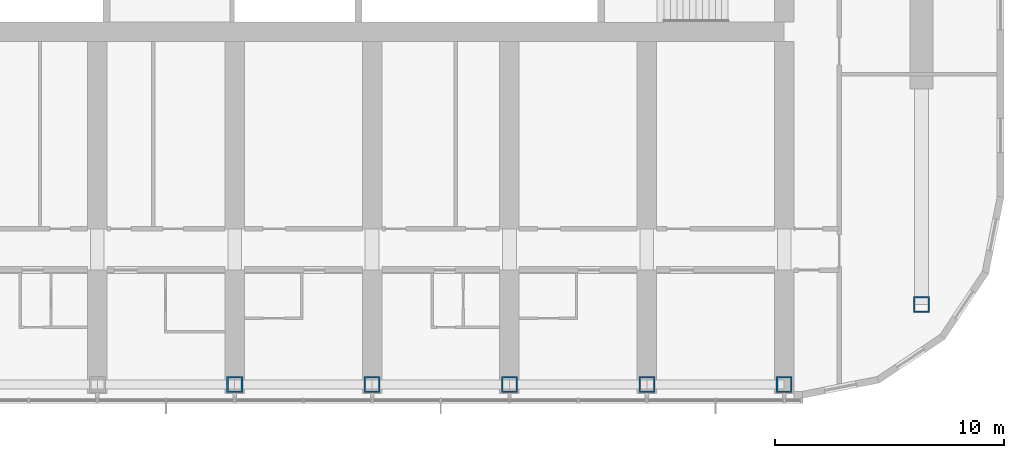
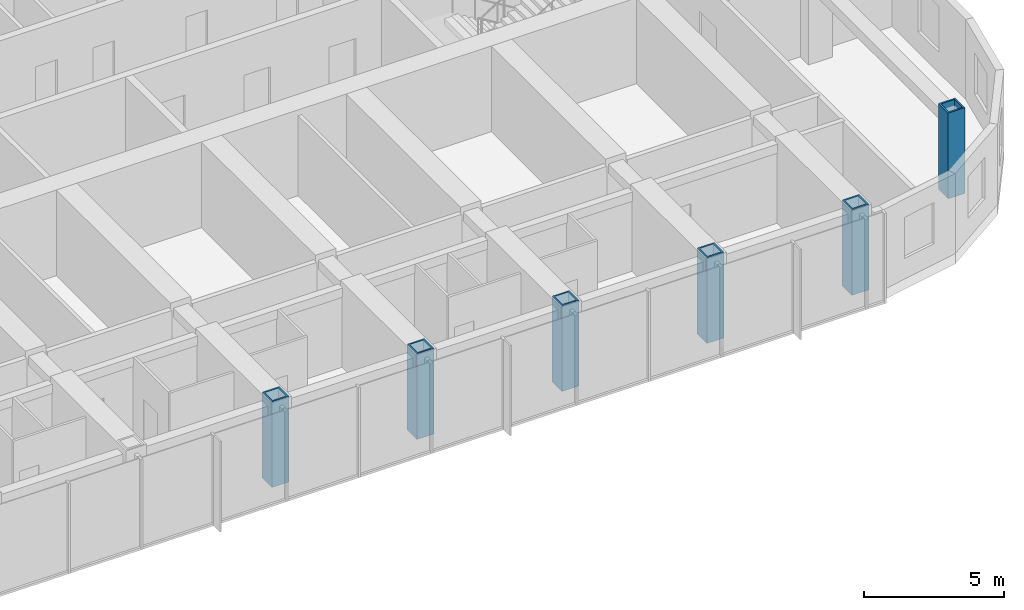
# One storey, part 3 of 29: 6 columns.
"""IFC4 building model written with IfcOpenShell, lengths in metres."""

import ifcopenshell
import ifcopenshell.guid

model = None  # the IFC model being written
_history = None  # IfcOwnerHistory: only IFC2X3 demands one
_inside = {}  # id of a spatial element -> (the spatial element, [elements in it])
_under = {}  # id of a project, library or spatial element -> (it, [spatial elements below it])
_declared = {}  # id of a project -> (the project, [libraries it declares])
_typed = {}  # id of a type object -> (the type object, [elements of that type])
_made_of = {}  # id of a material, layer set ... -> (it, [elements and type objects made of it])


def new_model(schema):
    """Start an empty IFC model of exactly this schema.

    Asked for "IFC4X3", IfcOpenShell would pick the latest addendum, in which some entities
    have other attributes; the version numbers below select the first issue.
    IFC2X3 requires an IfcOwnerHistory on every rooted entity: one is made here for all.
    """
    global model, _history
    if schema == "IFC4X3":
        model = ifcopenshell.file(schema_version=(4, 3, 0, 0))
    else:
        model = ifcopenshell.file(schema=schema)
    _inside.clear()
    _under.clear()
    _declared.clear()
    _typed.clear()
    _made_of.clear()
    _history = None
    if model.schema == "IFC2X3":
        org = make("IfcOrganization", Name="unknown")
        user = make(
            "IfcPersonAndOrganization",
            ThePerson=make("IfcPerson", FamilyName="unknown"),
            TheOrganization=org,
        )
        app = make(
            "IfcApplication",
            ApplicationDeveloper=org,
            Version="unknown",
            ApplicationFullName="unknown",
            ApplicationIdentifier="unknown",
        )
        _history = make(
            "IfcOwnerHistory",
            OwningUser=user,
            OwningApplication=app,
            ChangeAction="ADDED",
            CreationDate=0,
        )
    return model


def make(cls, **values):
    """One entity of the class cls with the attributes given. An attribute that is None is left unset."""
    return model.create_entity(
        cls, **{name: value for name, value in values.items() if value is not None}
    )


def rooted(cls, **values):
    """An entity with a GlobalId (a new one), such as an element, a storey or a relation."""
    return make(cls, GlobalId=ifcopenshell.guid.new(), OwnerHistory=_history, **values)


def si_unit(unit_type, name, prefix=None):
    """IfcSIUnit, for example si_unit("LENGTHUNIT", "METRE", prefix="MILLI")."""
    return make("IfcSIUnit", UnitType=unit_type, Prefix=prefix, Name=name)


def assignment(units):
    """IfcUnitAssignment: the units of a project."""
    return None if units is None else make("IfcUnitAssignment", Units=units)


def point(xyz):
    """IfcCartesianPoint."""
    return None if xyz is None else make("IfcCartesianPoint", Coordinates=xyz)


def direction(xyz):
    """IfcDirection."""
    return None if xyz is None else make("IfcDirection", DirectionRatios=xyz)


def frame(location, z_axis=None, x_axis=None):
    """IfcAxis2Placement3D, a coordinate frame: its origin and axes. An axis left out is left unset."""
    return make(
        "IfcAxis2Placement3D",
        Location=point(location),
        Axis=direction(z_axis),
        RefDirection=direction(x_axis),
    )


def frame_2d(location, x_axis=None):
    """IfcAxis2Placement2D, a coordinate frame in the plane: its origin and x axis."""
    return make(
        "IfcAxis2Placement2D", Location=point(location), RefDirection=direction(x_axis)
    )


def origin():
    """The frame at (0, 0, 0) with its axes left unset."""
    return frame((0.0, 0.0, 0.0))


def origin_2d():
    """The frame at (0, 0) in the plane with its x axis left unset."""
    return frame_2d((0.0, 0.0))


def place(relative_to, where):
    """IfcLocalPlacement: puts the frame where relative to a parent placement (None: the world)."""
    return make(
        "IfcLocalPlacement", PlacementRelTo=relative_to, RelativePlacement=where
    )


def context(
    kind, dimensions, precision=None, world=None, true_north=None, identifier=None
):
    """IfcGeometricRepresentationContext, for example the 3D "Model" context."""
    return make(
        "IfcGeometricRepresentationContext",
        ContextIdentifier=identifier,
        ContextType=kind,
        CoordinateSpaceDimension=dimensions,
        Precision=precision,
        WorldCoordinateSystem=world,
        TrueNorth=true_north,
    )


def subcontext(parent, identifier, kind, view, scale=None):
    """IfcGeometricRepresentationSubContext, for example "Body" below "Model"."""
    return make(
        "IfcGeometricRepresentationSubContext",
        ContextIdentifier=identifier,
        ContextType=kind,
        ParentContext=parent,
        TargetScale=scale,
        TargetView=view,
    )


def project(units=None, contexts=None):
    """IfcProject with its units and contexts."""
    return rooted(
        "IfcProject",
        Name="project",
        RepresentationContexts=contexts,
        UnitsInContext=assignment(units),
    )


def spatial(cls, under=None, at=None, **own):
    """A site, building, storey or space (cls), placed at a placement, below another one or the project."""
    s = rooted(cls, ObjectPlacement=at, **own)
    if under is not None:
        _under.setdefault(under.id(), (under, []))[1].append(s)
    return s


def profile(cls, at=None, kind="AREA", **sizes):
    """A parametric profile (cls). Its sizes go by their IFC names, for example OverallWidth=200.0."""
    return make(cls, ProfileType=kind, Position=at, **sizes)


def hollow_rectangle(**sizes):
    """IfcRectangleHollowProfileDef."""
    return profile("IfcRectangleHollowProfileDef", **sizes)


def extrude(swept, where, along, depth):
    """IfcExtrudedAreaSolid: the profile swept, set in the frame where, extruded along a direction by depth."""
    return make(
        "IfcExtrudedAreaSolid",
        SweptArea=swept,
        Position=where,
        ExtrudedDirection=direction(along),
        Depth=depth,
    )


def shape(context_of_items, identifier, shape_type, items):
    """IfcShapeRepresentation: the items that make up one representation, for example the "Body"."""
    return make(
        "IfcShapeRepresentation",
        ContextOfItems=context_of_items,
        RepresentationIdentifier=identifier,
        RepresentationType=shape_type,
        Items=items,
    )


def material(Name=None, Category=None):
    """IfcMaterial."""
    return make("IfcMaterial", Name=Name, Category=Category)


def material_profile(
    of_material, cross_section, Name=None, Category=None, Priority=None
):
    """IfcMaterialProfile: a cross section and its material."""
    return make(
        "IfcMaterialProfile",
        Name=Name,
        Material=of_material,
        Profile=cross_section,
        Priority=Priority,
        Category=Category,
    )


def profile_set(profiles, Name=None, composite=None):
    """IfcMaterialProfileSet."""
    return make(
        "IfcMaterialProfileSet",
        Name=Name,
        MaterialProfiles=profiles,
        CompositeProfile=composite,
    )


def made_of(thing, what):
    """Note that an element or type object is made of a material, layer set ...; save() writes the relation."""
    if what is not None:
        _made_of.setdefault(what.id(), (what, []))[1].append(thing)
    return thing


def type_object(cls, material=None, **own):
    """A type object (cls), such as IfcWallType, which elements share."""
    return made_of(rooted(cls, **own), material)


def element(
    cls,
    number,
    at=None,
    inside=None,
    cuts=None,
    type_object=None,
    material=None,
    context=None,
    identifier="Body",
    shape_type=None,
    held_by="IfcProductDefinitionShape",
    body=None,
    shapes=None,
    **own,
):
    """One element of the class cls, such as IfcWall. Its Tag is "e" and its number.

    at: its placement. inside: the storey or other place that contains it. cuts: it is an
    opening in that element (IfcRelVoidsElement). A single representation is given by context,
    identifier, shape_type and body (its items); several are given by shapes. held_by: the class
    of the entity that holds the representations. save() writes the other relations.
    """
    e = rooted(cls, Tag="e%d" % number, ObjectPlacement=at, **own)
    if body is not None:
        shapes = [shape(context, identifier, shape_type, body)]
    if shapes is not None:
        e.Representation = make(held_by, Representations=shapes)
    if inside is not None:
        _inside.setdefault(inside.id(), (inside, []))[1].append(e)
    if cuts is not None:
        rooted(
            "IfcRelVoidsElement", RelatingBuildingElement=cuts, RelatedOpeningElement=e
        )
    if type_object is not None:
        _typed.setdefault(type_object.id(), (type_object, []))[1].append(e)
    return made_of(e, material)


def aggregate(whole, parts):
    """IfcRelAggregates: a whole, such as a stair, and the parts it consists of."""
    return rooted("IfcRelAggregates", RelatingObject=whole, RelatedObjects=parts)


def save(model, path):
    """Write the relations noted so far, then the file.

    IfcRelAggregates (storeys below a building ...), IfcRelContainedInSpatialStructure (elements
    in a storey), IfcRelDefinesByType, IfcRelAssociatesMaterial and IfcRelDeclares: one each for
    every whole, place, type object, material and project.
    """
    for whole, parts in _under.values():
        aggregate(whole, parts)
    for where, things in _inside.values():
        rooted(
            "IfcRelContainedInSpatialStructure",
            RelatedElements=things,
            RelatingStructure=where,
        )
    for kind, things in _typed.values():
        rooted("IfcRelDefinesByType", RelatedObjects=things, RelatingType=kind)
    for what, things in _made_of.values():
        rooted("IfcRelAssociatesMaterial", RelatedObjects=things, RelatingMaterial=what)
    for by, libraries in _declared.values():
        rooted("IfcRelDeclares", RelatingContext=by, RelatedDefinitions=libraries)
    model.write(path)


model = new_model("IFC4")

# Units and contexts
model_context = context("Model", 3, precision=1e-05, world=origin(), true_north=direction((0.0, 1.0)))
body_context = subcontext(model_context, "Body", "Model", "MODEL_VIEW")
ifc_project = project(units=[si_unit("LENGTHUNIT", "METRE"), si_unit("AREAUNIT", "SQUARE_METRE"), si_unit("VOLUMEUNIT", "CUBIC_METRE"), si_unit("PLANEANGLEUNIT", "RADIAN"), si_unit("MASSUNIT", "GRAM", prefix="KILO")], contexts=[model_context])

# Site, building, storey
site_placement = place(None, origin())
site = spatial("IfcSite", under=ifc_project, at=site_placement, CompositionType="ELEMENT")
building_placement = place(site_placement, origin())
building = spatial("IfcBuilding", under=site, at=building_placement, Name="Orbita Commons", CompositionType="ELEMENT")
storey_placement = place(building_placement, frame((0.0, 0.0, 163.60009765625)))
storey = spatial("IfcBuildingStorey", under=building, at=storey_placement, Name="L40", CompositionType="ELEMENT", Elevation=163.60009765625)

# Columns
ifc_material = material(Name="Steel ASTM A572 Gr 50 welded plate", Category="steel")
ifc_material_profile = material_profile(ifc_material, hollow_rectangle(XDim=0.699951171875, YDim=0.699951171875, WallThickness=0.070068359375, at=origin_2d()), Name="BOX 700x700x70")
ifc_profile_set = profile_set([ifc_material_profile], Name="Steel ASTM A572 Gr 50 welded plate")
column_type = type_object("IfcColumnType", Name="Steel column BOX 700x700x70", PredefinedType="COLUMN", material=ifc_profile_set)
for number, where, z_axis, x_axis, name in (
    (1, (42.0, 10.39990234375, 0.0), (0.0, 0.0, 1.0), (1.0, 0.0, 0.0), "Column 8/B L40"),
    (2, (48.0, 10.39990234375, 0.0), (0.0, 0.0, 1.0), (1.0, 0.0, 0.0), "Column 9/B L40"),
    (3, (54.0, 10.39990234375, 0.0), (0.0, 0.0, 1.0), (1.0, 0.0, 0.0), "Column 10/B L40"),
    (4, (60.0, 10.39990234375, 0.0), (0.0, 0.0, 1.0), (1.0, 0.0, 0.0), "Column 11/B L40"),
    (5, (66.0, 10.39990234375, 0.0), (0.0, 0.0, 1.0), (1.0, 0.0, 0.0), "Column 12/B L40"),
    (6, (72.0, 13.89990234375, 0.0), (0.0, 0.0, 1.0), (1.0, 0.0, 0.0), "Column 13/13.9 L40"),
):
    element("IfcColumn", number, at=place(storey_placement, frame(where, z_axis=z_axis, x_axis=x_axis)), inside=storey, type_object=column_type, Name=name, PredefinedType="COLUMN", context=body_context, shape_type="SweptSolid", body=[
        extrude(hollow_rectangle(XDim=0.699951171875, YDim=0.699951171875, WallThickness=0.070068359375, at=origin_2d()), origin(), (0.0, 0.0, 1.0), 3.75),
    ])

save(model, "model.ifc")
